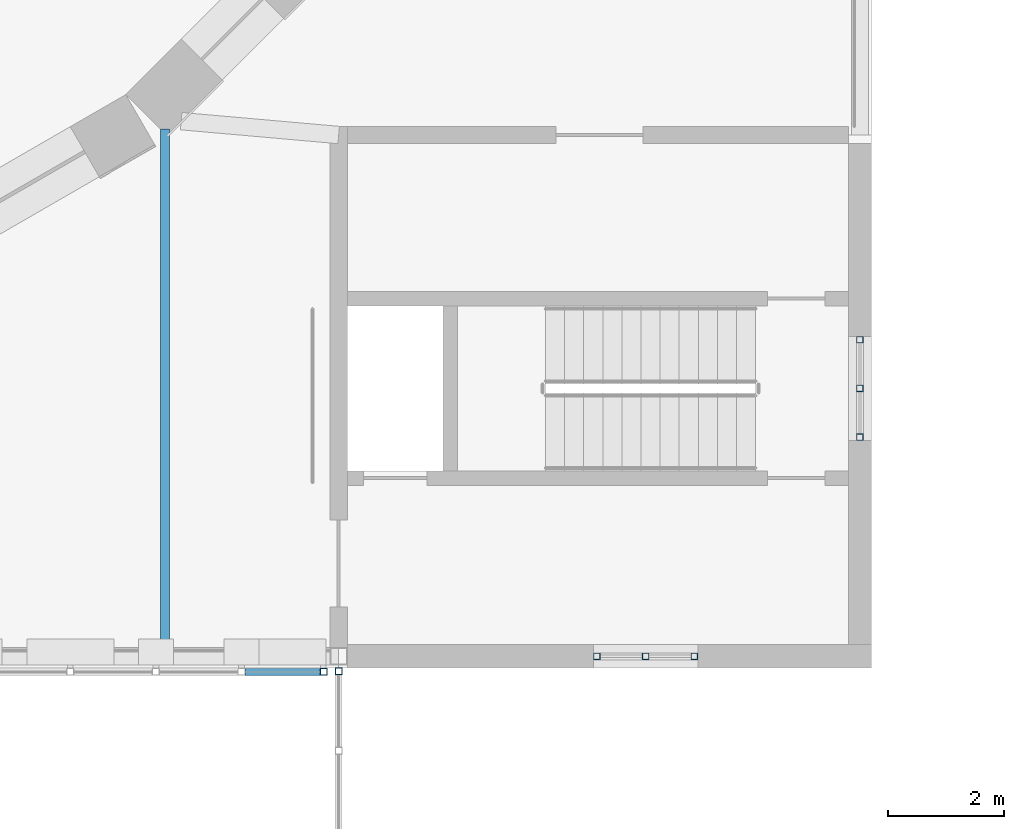
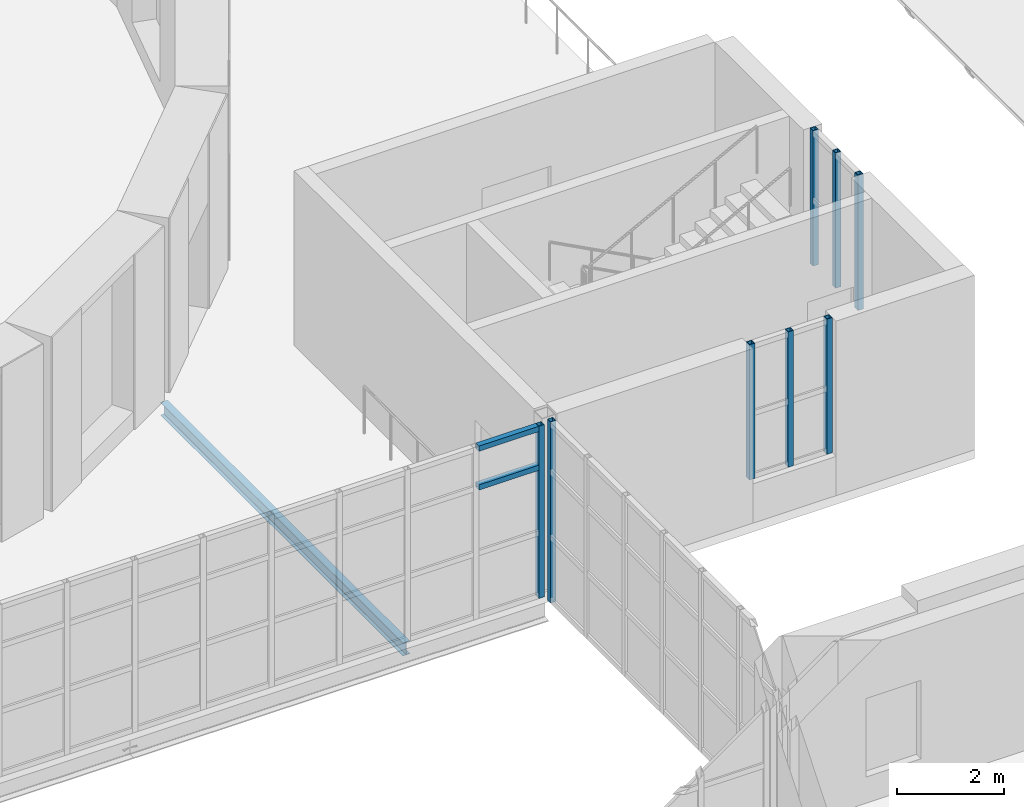
# One storey, part 46 of 154: 10 members, 1 beam, 4 elements without a shape of their own.
"""IFC4 building model written with IfcOpenShell, lengths in metres."""

from ifc_helpers import new_model, si_unit, direction, frame, origin, origin_2d, place, context, subcontext, project, spatial, hollow_rectangle, i_section, extrude, material, material_profile, profile_set, type_object, element, aggregate, save


model = new_model("IFC4")

# Units and contexts
model_context = context("Model", 3, precision=1e-05, world=origin(), true_north=direction((0.0, 1.0)))
body_context = subcontext(model_context, "Body", "Model", "MODEL_VIEW")
ifc_project = project(units=[si_unit("LENGTHUNIT", "METRE"), si_unit("AREAUNIT", "SQUARE_METRE"), si_unit("VOLUMEUNIT", "CUBIC_METRE"), si_unit("PLANEANGLEUNIT", "RADIAN"), si_unit("MASSUNIT", "GRAM", prefix="KILO")], contexts=[model_context])

# Site, building, storey
site_placement = place(None, origin())
site = spatial("IfcSite", under=ifc_project, at=site_placement, CompositionType="ELEMENT")
building_placement = place(site_placement, origin())
building = spatial("IfcBuilding", under=site, at=building_placement, Name="Golden Quay Civic Hall", CompositionType="ELEMENT")
storey_placement = place(building_placement, frame((0.0, 0.0, 14.39990234375)))
storey = spatial("IfcBuildingStorey", under=building, at=storey_placement, Name="L03", CompositionType="ELEMENT", Elevation=14.39990234375)

# Curtain wall, members
ifc_material_1 = material(Name="Fire-resisting glass and steel", Category="steel")
curtain_wall_type_1 = type_object("IfcCurtainWallType", Name="Fire-resisting glazed stair curtain wall EI 120", PredefinedType="NOTDEFINED", material=ifc_material_1)
curtain_wall_1_placement = place(storey_placement, origin())
curtain_wall_1 = element("IfcCurtainWall", 1, at=curtain_wall_1_placement, inside=storey, type_object=curtain_wall_type_1, Name="CW4 stair curtain wall", PredefinedType="NOTDEFINED")
ifc_material_2 = material(Name="Steel S355", Category="steel")
ifc_material_profile_1 = material_profile(ifc_material_2, hollow_rectangle(XDim=0.1201171875, YDim=0.1201171875, WallThickness=0.012451171875, at=origin_2d()), Name="SHS 120x120x12.5")
ifc_profile_set_1 = profile_set([ifc_material_profile_1], Name="Steel S355")
member_type_1 = type_object("IfcMemberType", Name="Fire-resisting steel stair mullion 120 x 120", PredefinedType="MULLION", material=ifc_profile_set_1)
member_1_placement = place(storey_placement, frame((103.4599609375, 63.0, 0.900146484375), z_axis=(0.0, 0.0, 1.0), x_axis=(0.0, 1.0, 0.0)))
member_1 = element("IfcMember", 2, at=member_1_placement, type_object=member_type_1, Name="CW4 mullion 1", PredefinedType="MULLION", context=body_context, shape_type="SweptSolid", body=[
    extrude(hollow_rectangle(XDim=0.1201171875, YDim=0.1201171875, WallThickness=0.012451171875, at=origin_2d()), origin(), (0.0, 0.0, 1.0), 3.099853515625),
])
member_2_placement = place(storey_placement, frame((104.300048828125, 63.0, 0.900146484375), z_axis=(0.0, 0.0, 1.0), x_axis=(0.0, 1.0, 0.0)))
member_2 = element("IfcMember", 3, at=member_2_placement, type_object=member_type_1, Name="CW4 mullion 2", PredefinedType="MULLION", context=body_context, shape_type="SweptSolid", body=[
    extrude(hollow_rectangle(XDim=0.1201171875, YDim=0.1201171875, WallThickness=0.012451171875, at=origin_2d()), origin(), (0.0, 0.0, 1.0), 3.099853515625),
])
member_3_placement = place(storey_placement, frame((105.139892578125, 63.0, 0.900146484375), z_axis=(0.0, 0.0, 1.0), x_axis=(0.0, 1.0, 0.0)))
member_3 = element("IfcMember", 4, at=member_3_placement, type_object=member_type_1, Name="CW4 mullion 3", PredefinedType="MULLION", context=body_context, shape_type="SweptSolid", body=[
    extrude(hollow_rectangle(XDim=0.1201171875, YDim=0.1201171875, WallThickness=0.012451171875, at=origin_2d()), origin(), (0.0, 0.0, 1.0), 3.099853515625),
])
aggregate(curtain_wall_1, [member_1, member_2, member_3])

curtain_wall_2_placement = place(storey_placement, origin())
curtain_wall_2 = element("IfcCurtainWall", 5, at=curtain_wall_2_placement, inside=storey, type_object=curtain_wall_type_1, Name="CW4 stair curtain wall", PredefinedType="NOTDEFINED")
member_4_placement = place(storey_placement, frame((108.0, 66.784912109375, 0.900146484375), z_axis=(0.0, 0.0, 1.0), x_axis=(-1.0, 0.0, 0.0)))
member_4 = element("IfcMember", 6, at=member_4_placement, type_object=member_type_1, Name="CW4 mullion 1", PredefinedType="MULLION", context=body_context, shape_type="SweptSolid", body=[
    extrude(hollow_rectangle(XDim=0.1201171875, YDim=0.1201171875, WallThickness=0.012451171875, at=origin_2d()), origin(), (0.0, 0.0, 1.0), 3.099853515625),
])
member_5_placement = place(storey_placement, frame((108.0, 67.625, 0.900146484375), z_axis=(0.0, 0.0, 1.0), x_axis=(-1.0, 0.0, 0.0)))
member_5 = element("IfcMember", 7, at=member_5_placement, type_object=member_type_1, Name="CW4 mullion 2", PredefinedType="MULLION", context=body_context, shape_type="SweptSolid", body=[
    extrude(hollow_rectangle(XDim=0.1201171875, YDim=0.1201171875, WallThickness=0.012451171875, at=origin_2d()), origin(), (0.0, 0.0, 1.0), 3.099853515625),
])
member_6_placement = place(storey_placement, frame((108.0, 68.465087890625, 0.900146484375), z_axis=(0.0, 0.0, 1.0), x_axis=(-1.0, 0.0, 0.0)))
member_6 = element("IfcMember", 8, at=member_6_placement, type_object=member_type_1, Name="CW4 mullion 3", PredefinedType="MULLION", context=body_context, shape_type="SweptSolid", body=[
    extrude(hollow_rectangle(XDim=0.1201171875, YDim=0.1201171875, WallThickness=0.012451171875, at=origin_2d()), origin(), (0.0, 0.0, 1.0), 3.099853515625),
])
aggregate(curtain_wall_2, [member_4, member_5, member_6])

# Beam
ifc_material_3 = material(Name="Steel S355", Category="steel")
ifc_material_profile_2 = material_profile(ifc_material_3, i_section(OverallWidth=0.14990234375, OverallDepth=0.300048828125, WebThickness=0.007080078125, FlangeThickness=0.0107421875, FilletRadius=0.014892578125, at=origin_2d()), Name="IPE 300")
ifc_profile_set_2 = profile_set([ifc_material_profile_2], Name="Steel S355")
beam_type = type_object("IfcBeamType", Name="Steel joist IPE 300", PredefinedType="JOIST", material=ifc_profile_set_2)
beam_placement = place(storey_placement, frame((96.0, 63.0, -0.39990234375), z_axis=(0.0, 1.0, 0.0), x_axis=(-1.0, 0.0, 0.0)))
element("IfcBeam", 9, at=beam_placement, inside=storey, type_object=beam_type, Name="Floor joist 6", PredefinedType="JOIST", context=body_context, shape_type="SweptSolid", body=[
    extrude(i_section(OverallWidth=0.14990234375, OverallDepth=0.300048828125, WebThickness=0.007080078125, FlangeThickness=0.0107421875, FilletRadius=0.014892578125, at=origin_2d()), origin(), (0.0, 0.0, 1.0), 9.099853515625),
])

# Curtain wall, member
ifc_material_4 = material(Name="Glass and aluminium", Category="aluminium")
curtain_wall_type_2 = type_object("IfcCurtainWallType", Name="Glazed curtain wall 1500 module", PredefinedType="NOTDEFINED", material=ifc_material_4)
curtain_wall_3_placement = place(storey_placement, origin())
curtain_wall_3 = element("IfcCurtainWall", 10, at=curtain_wall_3_placement, inside=storey, type_object=curtain_wall_type_2, Name="CW1 curtain wall", PredefinedType="NOTDEFINED")
ifc_material_5 = material(Name="Steel S355", Category="steel")
ifc_material_profile_3 = material_profile(ifc_material_5, hollow_rectangle(XDim=0.1201171875, YDim=0.1201171875, WallThickness=0.008056640625, at=origin_2d()), Name="SHS 120x120x8")
ifc_profile_set_3 = profile_set([ifc_material_profile_3], Name="Steel S355")
member_type_2 = type_object("IfcMemberType", Name="Steel mullion SHS 120x120x8", PredefinedType="MULLION", material=ifc_profile_set_3)
member_7_placement = place(storey_placement, frame((98.739990234375, 62.72998046875, 0.0), z_axis=(0.0, 0.0, 1.0), x_axis=(0.0, 1.0, 0.0)))
member_7 = element("IfcMember", 11, at=member_7_placement, type_object=member_type_2, Name="CW1 mullion 19", PredefinedType="MULLION", context=body_context, shape_type="SweptSolid", body=[
    extrude(hollow_rectangle(XDim=0.1201171875, YDim=0.1201171875, WallThickness=0.008056640625, at=origin_2d()), origin(), (0.0, 0.0, 1.0), 3.9501953125),
])

curtain_wall_4_placement = place(storey_placement, origin())
curtain_wall_4 = element("IfcCurtainWall", 12, at=curtain_wall_4_placement, inside=storey, type_object=curtain_wall_type_2, Name="CW1 curtain wall", PredefinedType="NOTDEFINED")
member_8_placement = place(storey_placement, frame((99.0, 62.739990234375, -0.199951171875), z_axis=(0.0, 0.0, 1.0), x_axis=(-1.0, 0.0, 0.0)))
member_8 = element("IfcMember", 13, at=member_8_placement, type_object=member_type_2, Name="CW1 mullion 7", PredefinedType="MULLION", context=body_context, shape_type="SweptSolid", body=[
    extrude(hollow_rectangle(XDim=0.1201171875, YDim=0.1201171875, WallThickness=0.008056640625, at=origin_2d()), origin(), (0.0, 0.0, 1.0), 4.150146484375),
])
aggregate(curtain_wall_4, [member_8])

# Member
ifc_material_6 = material(Name="Steel S355", Category="steel")
ifc_material_profile_4 = material_profile(ifc_material_6, hollow_rectangle(XDim=0.1201171875, YDim=0.1201171875, WallThickness=0.008056640625, at=origin_2d()), Name="SHS 120x120x8")
ifc_profile_set_4 = profile_set([ifc_material_profile_4], Name="Steel S355")
member_type_3 = type_object("IfcMemberType", Name="Steel transom SHS 120x120x8", PredefinedType="USERDEFINED", material=ifc_profile_set_4)
member_9_placement = place(storey_placement, frame((97.38232421875, 62.72998046875, 3.0), z_axis=(1.0, 0.0, 0.0), x_axis=(0.0, 1.0, 0.0)))
member_9 = element("IfcMember", 14, at=member_9_placement, type_object=member_type_3, Name="CW1 transom 18.3", ObjectType="TRANSOM", PredefinedType="USERDEFINED", context=body_context, shape_type="SweptSolid", body=[
    extrude(hollow_rectangle(XDim=0.1201171875, YDim=0.1201171875, WallThickness=0.008056640625, at=origin_2d()), origin(), (0.0, 0.0, 1.0), 1.297607421875),
])

member_10_placement = place(storey_placement, frame((97.38232421875, 62.72998046875, 3.89013671875), z_axis=(1.0, 0.0, 0.0), x_axis=(0.0, 1.0, 0.0)))
member_10 = element("IfcMember", 15, at=member_10_placement, type_object=member_type_3, Name="CW1 transom 18.4", ObjectType="TRANSOM", PredefinedType="USERDEFINED", context=body_context, shape_type="SweptSolid", body=[
    extrude(hollow_rectangle(XDim=0.1201171875, YDim=0.1201171875, WallThickness=0.008056640625, at=origin_2d()), origin(), (0.0, 0.0, 1.0), 1.297607421875),
])

aggregate(curtain_wall_3, [member_7, member_9, member_10])

save(model, "model.ifc")
